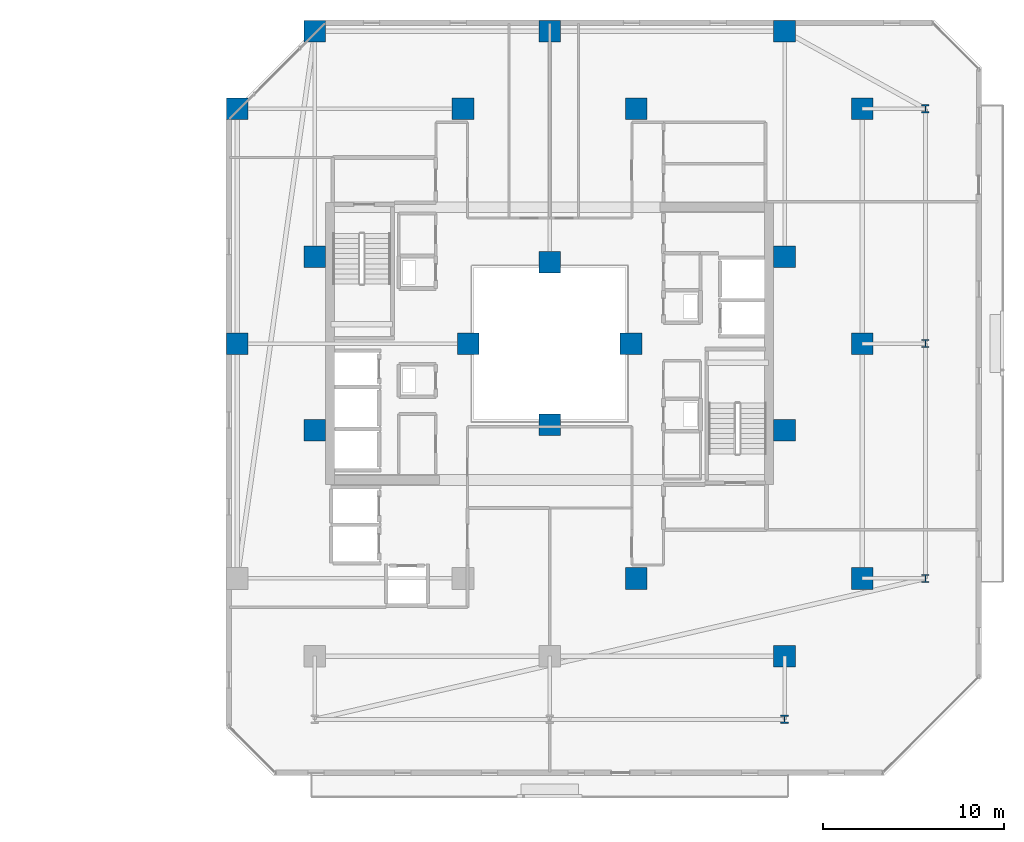
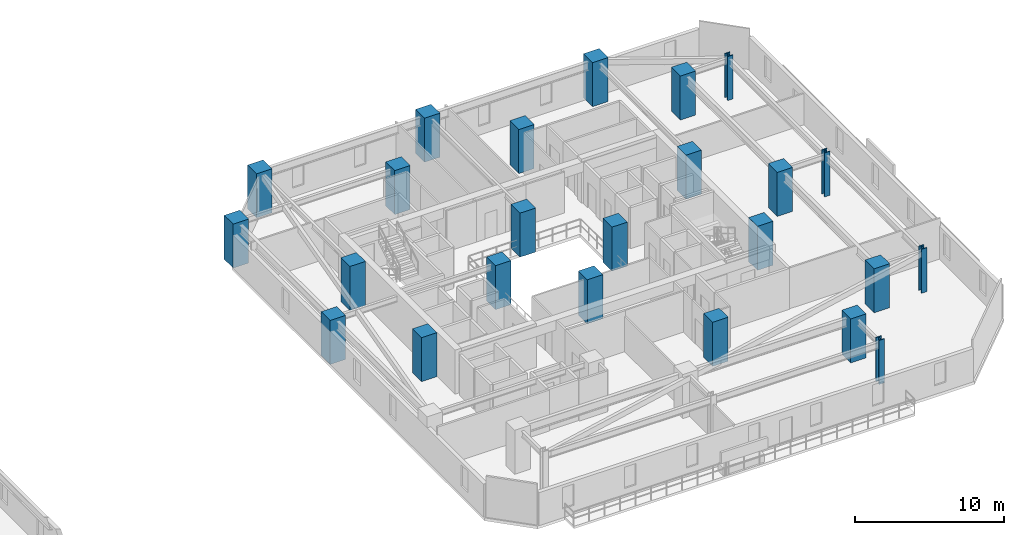
# One storey, part 2 of 33: 24 columns.
"""IFC4 building model written with IfcOpenShell, lengths in metres."""

import ifcopenshell
import ifcopenshell.guid

model = None  # the IFC model being written
_history = None  # IfcOwnerHistory: only IFC2X3 demands one
_inside = {}  # id of a spatial element -> (the spatial element, [elements in it])
_under = {}  # id of a project, library or spatial element -> (it, [spatial elements below it])
_declared = {}  # id of a project -> (the project, [libraries it declares])
_typed = {}  # id of a type object -> (the type object, [elements of that type])
_made_of = {}  # id of a material, layer set ... -> (it, [elements and type objects made of it])


def new_model(schema):
    """Start an empty IFC model of exactly this schema.

    Asked for "IFC4X3", IfcOpenShell would pick the latest addendum, in which some entities
    have other attributes; the version numbers below select the first issue.
    IFC2X3 requires an IfcOwnerHistory on every rooted entity: one is made here for all.
    """
    global model, _history
    if schema == "IFC4X3":
        model = ifcopenshell.file(schema_version=(4, 3, 0, 0))
    else:
        model = ifcopenshell.file(schema=schema)
    _inside.clear()
    _under.clear()
    _declared.clear()
    _typed.clear()
    _made_of.clear()
    _history = None
    if model.schema == "IFC2X3":
        org = make("IfcOrganization", Name="unknown")
        user = make(
            "IfcPersonAndOrganization",
            ThePerson=make("IfcPerson", FamilyName="unknown"),
            TheOrganization=org,
        )
        app = make(
            "IfcApplication",
            ApplicationDeveloper=org,
            Version="unknown",
            ApplicationFullName="unknown",
            ApplicationIdentifier="unknown",
        )
        _history = make(
            "IfcOwnerHistory",
            OwningUser=user,
            OwningApplication=app,
            ChangeAction="ADDED",
            CreationDate=0,
        )
    return model


def make(cls, **values):
    """One entity of the class cls with the attributes given. An attribute that is None is left unset."""
    return model.create_entity(
        cls, **{name: value for name, value in values.items() if value is not None}
    )


def rooted(cls, **values):
    """An entity with a GlobalId (a new one), such as an element, a storey or a relation."""
    return make(cls, GlobalId=ifcopenshell.guid.new(), OwnerHistory=_history, **values)


def si_unit(unit_type, name, prefix=None):
    """IfcSIUnit, for example si_unit("LENGTHUNIT", "METRE", prefix="MILLI")."""
    return make("IfcSIUnit", UnitType=unit_type, Prefix=prefix, Name=name)


def assignment(units):
    """IfcUnitAssignment: the units of a project."""
    return None if units is None else make("IfcUnitAssignment", Units=units)


def point(xyz):
    """IfcCartesianPoint."""
    return None if xyz is None else make("IfcCartesianPoint", Coordinates=xyz)


def direction(xyz):
    """IfcDirection."""
    return None if xyz is None else make("IfcDirection", DirectionRatios=xyz)


def frame(location, z_axis=None, x_axis=None):
    """IfcAxis2Placement3D, a coordinate frame: its origin and axes. An axis left out is left unset."""
    return make(
        "IfcAxis2Placement3D",
        Location=point(location),
        Axis=direction(z_axis),
        RefDirection=direction(x_axis),
    )


def frame_2d(location, x_axis=None):
    """IfcAxis2Placement2D, a coordinate frame in the plane: its origin and x axis."""
    return make(
        "IfcAxis2Placement2D", Location=point(location), RefDirection=direction(x_axis)
    )


def origin():
    """The frame at (0, 0, 0) with its axes left unset."""
    return frame((0.0, 0.0, 0.0))


def origin_2d():
    """The frame at (0, 0) in the plane with its x axis left unset."""
    return frame_2d((0.0, 0.0))


def place(relative_to, where):
    """IfcLocalPlacement: puts the frame where relative to a parent placement (None: the world)."""
    return make(
        "IfcLocalPlacement", PlacementRelTo=relative_to, RelativePlacement=where
    )


def context(
    kind, dimensions, precision=None, world=None, true_north=None, identifier=None
):
    """IfcGeometricRepresentationContext, for example the 3D "Model" context."""
    return make(
        "IfcGeometricRepresentationContext",
        ContextIdentifier=identifier,
        ContextType=kind,
        CoordinateSpaceDimension=dimensions,
        Precision=precision,
        WorldCoordinateSystem=world,
        TrueNorth=true_north,
    )


def subcontext(parent, identifier, kind, view, scale=None):
    """IfcGeometricRepresentationSubContext, for example "Body" below "Model"."""
    return make(
        "IfcGeometricRepresentationSubContext",
        ContextIdentifier=identifier,
        ContextType=kind,
        ParentContext=parent,
        TargetScale=scale,
        TargetView=view,
    )


def project(units=None, contexts=None):
    """IfcProject with its units and contexts."""
    return rooted(
        "IfcProject",
        Name="project",
        RepresentationContexts=contexts,
        UnitsInContext=assignment(units),
    )


def spatial(cls, under=None, at=None, **own):
    """A site, building, storey or space (cls), placed at a placement, below another one or the project."""
    s = rooted(cls, ObjectPlacement=at, **own)
    if under is not None:
        _under.setdefault(under.id(), (under, []))[1].append(s)
    return s


def profile(cls, at=None, kind="AREA", **sizes):
    """A parametric profile (cls). Its sizes go by their IFC names, for example OverallWidth=200.0."""
    return make(cls, ProfileType=kind, Position=at, **sizes)


def rectangle(**sizes):
    """IfcRectangleProfileDef."""
    return profile("IfcRectangleProfileDef", **sizes)


def i_section(**sizes):
    """IfcIShapeProfileDef."""
    return profile("IfcIShapeProfileDef", **sizes)


def extrude(swept, where, along, depth):
    """IfcExtrudedAreaSolid: the profile swept, set in the frame where, extruded along a direction by depth."""
    return make(
        "IfcExtrudedAreaSolid",
        SweptArea=swept,
        Position=where,
        ExtrudedDirection=direction(along),
        Depth=depth,
    )


def shape(context_of_items, identifier, shape_type, items):
    """IfcShapeRepresentation: the items that make up one representation, for example the "Body"."""
    return make(
        "IfcShapeRepresentation",
        ContextOfItems=context_of_items,
        RepresentationIdentifier=identifier,
        RepresentationType=shape_type,
        Items=items,
    )


def material(Name=None, Category=None):
    """IfcMaterial."""
    return make("IfcMaterial", Name=Name, Category=Category)


def material_profile(
    of_material, cross_section, Name=None, Category=None, Priority=None
):
    """IfcMaterialProfile: a cross section and its material."""
    return make(
        "IfcMaterialProfile",
        Name=Name,
        Material=of_material,
        Profile=cross_section,
        Priority=Priority,
        Category=Category,
    )


def profile_set(profiles, Name=None, composite=None):
    """IfcMaterialProfileSet."""
    return make(
        "IfcMaterialProfileSet",
        Name=Name,
        MaterialProfiles=profiles,
        CompositeProfile=composite,
    )


def made_of(thing, what):
    """Note that an element or type object is made of a material, layer set ...; save() writes the relation."""
    if what is not None:
        _made_of.setdefault(what.id(), (what, []))[1].append(thing)
    return thing


def type_object(cls, material=None, **own):
    """A type object (cls), such as IfcWallType, which elements share."""
    return made_of(rooted(cls, **own), material)


def element(
    cls,
    number,
    at=None,
    inside=None,
    cuts=None,
    type_object=None,
    material=None,
    context=None,
    identifier="Body",
    shape_type=None,
    held_by="IfcProductDefinitionShape",
    body=None,
    shapes=None,
    **own,
):
    """One element of the class cls, such as IfcWall. Its Tag is "e" and its number.

    at: its placement. inside: the storey or other place that contains it. cuts: it is an
    opening in that element (IfcRelVoidsElement). A single representation is given by context,
    identifier, shape_type and body (its items); several are given by shapes. held_by: the class
    of the entity that holds the representations. save() writes the other relations.
    """
    e = rooted(cls, Tag="e%d" % number, ObjectPlacement=at, **own)
    if body is not None:
        shapes = [shape(context, identifier, shape_type, body)]
    if shapes is not None:
        e.Representation = make(held_by, Representations=shapes)
    if inside is not None:
        _inside.setdefault(inside.id(), (inside, []))[1].append(e)
    if cuts is not None:
        rooted(
            "IfcRelVoidsElement", RelatingBuildingElement=cuts, RelatedOpeningElement=e
        )
    if type_object is not None:
        _typed.setdefault(type_object.id(), (type_object, []))[1].append(e)
    return made_of(e, material)


def aggregate(whole, parts):
    """IfcRelAggregates: a whole, such as a stair, and the parts it consists of."""
    return rooted("IfcRelAggregates", RelatingObject=whole, RelatedObjects=parts)


def save(model, path):
    """Write the relations noted so far, then the file.

    IfcRelAggregates (storeys below a building ...), IfcRelContainedInSpatialStructure (elements
    in a storey), IfcRelDefinesByType, IfcRelAssociatesMaterial and IfcRelDeclares: one each for
    every whole, place, type object, material and project.
    """
    for whole, parts in _under.values():
        aggregate(whole, parts)
    for where, things in _inside.values():
        rooted(
            "IfcRelContainedInSpatialStructure",
            RelatedElements=things,
            RelatingStructure=where,
        )
    for kind, things in _typed.values():
        rooted("IfcRelDefinesByType", RelatedObjects=things, RelatingType=kind)
    for what, things in _made_of.values():
        rooted("IfcRelAssociatesMaterial", RelatedObjects=things, RelatingMaterial=what)
    for by, libraries in _declared.values():
        rooted("IfcRelDeclares", RelatingContext=by, RelatedDefinitions=libraries)
    model.write(path)


model = new_model("IFC4")

# Units and contexts
model_context = context("Model", 3, precision=1e-05, world=origin(), true_north=direction((0.0, 1.0)))
body_context = subcontext(model_context, "Body", "Model", "MODEL_VIEW")
ifc_project = project(units=[si_unit("LENGTHUNIT", "METRE"), si_unit("AREAUNIT", "SQUARE_METRE"), si_unit("VOLUMEUNIT", "CUBIC_METRE"), si_unit("PLANEANGLEUNIT", "RADIAN"), si_unit("MASSUNIT", "GRAM", prefix="KILO")], contexts=[model_context])

# Site, building, storey
site_placement = place(None, origin())
site = spatial("IfcSite", under=ifc_project, at=site_placement, CompositionType="ELEMENT")
building_placement = place(site_placement, origin())
building = spatial("IfcBuilding", under=site, at=building_placement, Name="Thornwick Lancets Civic Towers", CompositionType="ELEMENT")
storey_placement = place(building_placement, frame((0.0, 0.0, 130.5)))
storey = spatial("IfcBuildingStorey", under=building, at=storey_placement, Name="L34", CompositionType="ELEMENT", Elevation=130.5)

# Columns
ifc_material_1 = material(Name="Concrete C60/75", Category="concrete")
ifc_material_profile_1 = material_profile(ifc_material_1, rectangle(XDim=1.199951171875, YDim=1.199951171875, at=origin_2d()), Name="RC 1200x1200")
ifc_profile_set_1 = profile_set([ifc_material_profile_1], Name="Concrete C60/75")
column_type_1 = type_object("IfcColumnType", Name="COL_RC_1200", PredefinedType="COLUMN", material=ifc_profile_set_1)
for number, where, z_axis, x_axis, name in (
    (1, (105.800048828125, 14.0, 0.0), (0.0, 0.0, 1.0), (1.0, 0.0, 0.0), "L34 Spine Mega-Column B01"),
    (2, (105.800048828125, 27.0, 0.0), (0.0, 0.0, 1.0), (1.0, 0.0, 0.0), "L34 Spine Mega-Column B02"),
    (3, (105.800048828125, 40.0, 0.0), (0.0, 0.0, 1.0), (1.0, 0.0, 0.0), "L34 Spine Mega-Column B03"),
    (4, (101.5, 44.300048828125, 0.0), (0.0, 0.0, 1.0), (1.0, 0.0, 0.0), "L34 Spine Mega-Column B04"),
    (5, (88.5, 44.300048828125, 0.0), (0.0, 0.0, 1.0), (1.0, 0.0, 0.0), "L34 Spine Mega-Column B05"),
    (6, (75.5, 44.300048828125, 0.0), (0.0, 0.0, 1.0), (1.0, 0.0, 0.0), "L34 Spine Mega-Column B06"),
    (7, (71.199951171875, 27.0, 0.0), (0.0, 0.0, 1.0), (1.0, 0.0, 0.0), "L34 Spine Mega-Column B08"),
    (8, (71.199951171875, 40.0, 0.0), (0.0, 0.0, 1.0), (1.0, 0.0, 0.0), "L34 Spine Mega-Column B09"),
    (9, (101.5, 9.699951171875, 0.0), (0.0, 0.0, 1.0), (1.0, 0.0, 0.0), "L34 Spine Mega-Column B10"),
    (10, (93.300048828125, 14.0, 0.0), (0.0, 0.0, 1.0), (1.0, 0.0, 0.0), "L34 Spine Mega-Column B13"),
    (11, (93.300048828125, 40.0, 0.0), (0.0, 0.0, 1.0), (1.0, 0.0, 0.0), "L34 Spine Mega-Column B14"),
    (12, (83.699951171875, 40.0, 0.0), (0.0, 0.0, 1.0), (1.0, 0.0, 0.0), "L34 Spine Mega-Column B16"),
    (13, (101.5, 22.199951171875, 0.0), (0.0, 0.0, 1.0), (1.0, 0.0, 0.0), "L34 Spine Mega-Column B17"),
    (14, (101.5, 31.800048828125, 0.0), (0.0, 0.0, 1.0), (1.0, 0.0, 0.0), "L34 Spine Mega-Column B18"),
    (15, (75.5, 22.199951171875, 0.0), (0.0, 0.0, 1.0), (1.0, 0.0, 0.0), "L34 Spine Mega-Column B19"),
    (16, (75.5, 31.800048828125, 0.0), (0.0, 0.0, 1.0), (1.0, 0.0, 0.0), "L34 Spine Mega-Column B20"),
    (17, (93.0, 27.0, 0.0), (0.0, 0.0, 1.0), (1.0, 0.0, 0.0), "L34 Spine Mega-Column B21"),
    (18, (84.0, 27.0, 0.0), (0.0, 0.0, 1.0), (1.0, 0.0, 0.0), "L34 Spine Mega-Column B22"),
    (19, (88.5, 22.5, 0.0), (0.0, 0.0, 1.0), (1.0, 0.0, 0.0), "L34 Spine Mega-Column B23"),
    (20, (88.5, 31.5, 0.0), (0.0, 0.0, 1.0), (1.0, 0.0, 0.0), "L34 Spine Mega-Column B24"),
):
    element("IfcColumn", number, at=place(storey_placement, frame(where, z_axis=z_axis, x_axis=x_axis)), inside=storey, type_object=column_type_1, Name=name, PredefinedType="COLUMN", context=body_context, shape_type="SweptSolid", body=[
        extrude(rectangle(XDim=1.199951171875, YDim=1.199951171875, at=origin_2d()), origin(), (0.0, 0.0, 1.0), 3.60009765625),
    ])
ifc_material_2 = material(Name="Steel S460M", Category="steel")
ifc_material_profile_2 = material_profile(ifc_material_2, i_section(OverallWidth=0.41845703125, OverallDepth=0.45556640625, WebThickness=0.0419921875, FlangeThickness=0.0673828125, FilletRadius=0.01513671875, at=origin_2d()), Name="UKC 356x406x551")
ifc_profile_set_2 = profile_set([ifc_material_profile_2], Name="Steel S460M")
column_type_2 = type_object("IfcColumnType", Name="COL_UKC_551", PredefinedType="COLUMN", material=ifc_profile_set_2)
for number, where, z_axis, x_axis, name in (
    (21, (109.300048828125, 14.0, 0.0), (0.0, 0.0, 1.0), (1.0, 0.0, 0.0), "L34 Block Perimeter Column B01"),
    (22, (109.300048828125, 27.0, 0.0), (0.0, 0.0, 1.0), (1.0, 0.0, 0.0), "L34 Block Perimeter Column B02"),
    (23, (109.300048828125, 40.0, 0.0), (0.0, 0.0, 1.0), (1.0, 0.0, 0.0), "L34 Block Perimeter Column B03"),
    (24, (101.5, 6.199951171875, 0.0), (0.0, 0.0, 1.0), (1.0, 0.0, 0.0), "L34 Block Perimeter Column B10"),
):
    element("IfcColumn", number, at=place(storey_placement, frame(where, z_axis=z_axis, x_axis=x_axis)), inside=storey, type_object=column_type_2, Name=name, PredefinedType="COLUMN", context=body_context, shape_type="SweptSolid", body=[
        extrude(i_section(OverallWidth=0.41845703125, OverallDepth=0.45556640625, WebThickness=0.0419921875, FlangeThickness=0.0673828125, FilletRadius=0.01513671875, at=origin_2d()), origin(), (0.0, 0.0, 1.0), 3.60009765625),
    ])

save(model, "model.ifc")
